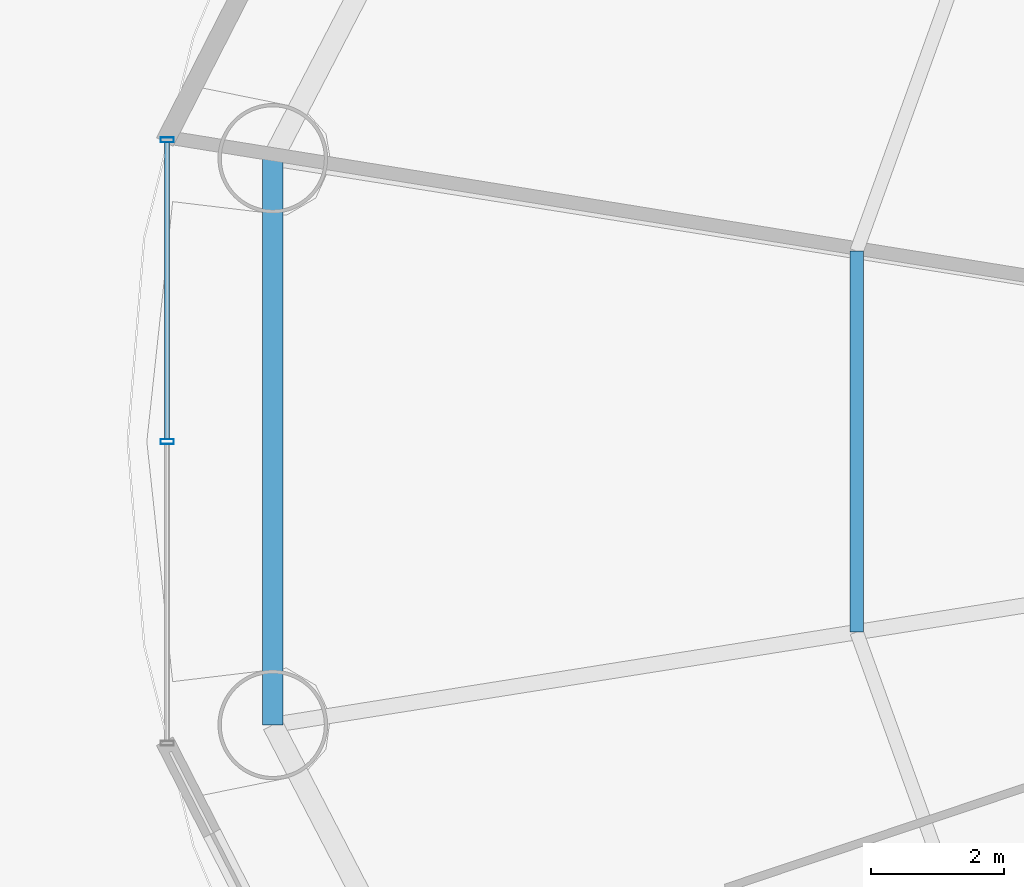
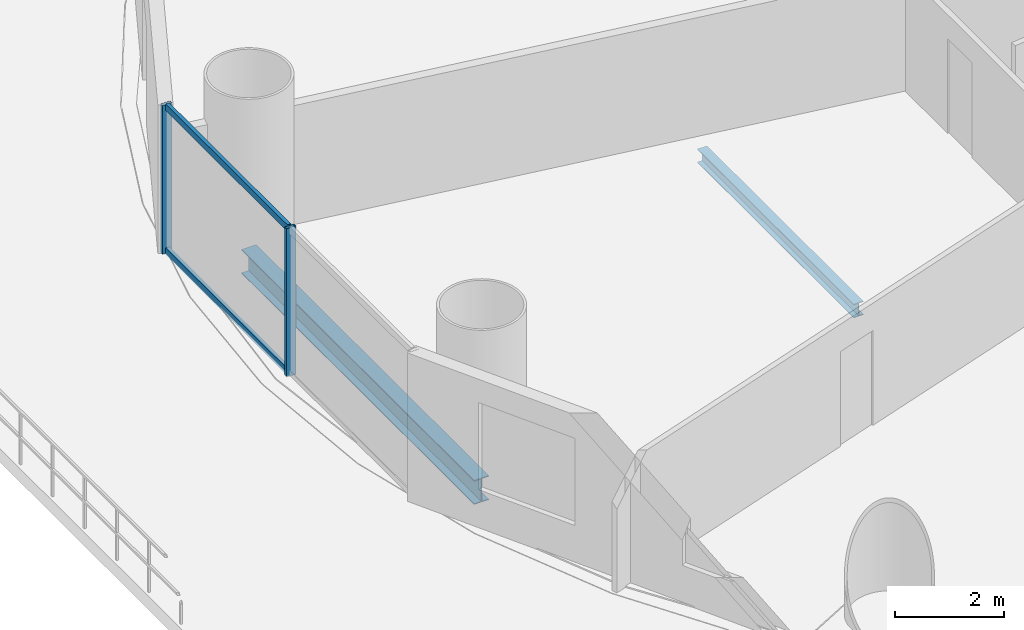
# One storey, part 9 of 37: 4 members, 2 beams, 1 element without a shape of its own.
"""IFC4 building model written with IfcOpenShell, lengths in metres."""

from ifc_helpers import new_model, si_unit, direction, frame, origin, origin_2d, place, context, subcontext, project, spatial, hollow_rectangle, i_section, extrude, source, transform, mapped, material, material_profile, profile_set, type_object, element, aggregate, save


model = new_model("IFC4")

# Units and contexts
model_context = context("Model", 3, precision=1e-05, world=origin(), true_north=direction((-0.2419218956, 0.970295726276)))
body_context = subcontext(model_context, "Body", "Model", "MODEL_VIEW")
ifc_project = project(units=[si_unit("LENGTHUNIT", "METRE"), si_unit("AREAUNIT", "SQUARE_METRE"), si_unit("VOLUMEUNIT", "CUBIC_METRE"), si_unit("PLANEANGLEUNIT", "RADIAN"), si_unit("MASSUNIT", "GRAM", prefix="KILO")], contexts=[model_context])

# Site, building, storey
site_placement = place(None, origin())
site = spatial("IfcSite", under=ifc_project, at=site_placement, CompositionType="ELEMENT")
building_placement = place(site_placement, origin())
building = spatial("IfcBuilding", under=site, at=building_placement, Name="Cobrevalo Terracotta Tower", CompositionType="ELEMENT")
storey_placement = place(building_placement, frame((0.0, 0.0, 24.0)))
storey = spatial("IfcBuildingStorey", under=building, at=storey_placement, Name="L05", CompositionType="ELEMENT", Elevation=24.0)

# Beams
ifc_material_1 = material(Name="Steel S355", Category="steel")
ifc_material_profile_1 = material_profile(ifc_material_1, i_section(OverallWidth=0.2041015625, OverallDepth=0.305908203125, WebThickness=0.008544921875, FlangeThickness=0.0146484375, at=origin_2d()), Name="W 310x67")
ifc_profile_set_1 = profile_set([ifc_material_profile_1], Name="Steel S355")
beam_type_1 = type_object("IfcBeamType", Name="Structural Joist W 310x67 (Steel S355)", PredefinedType="JOIST", material=ifc_profile_set_1)
beam_1_placement = place(storey_placement, frame((19.960205078125, 29.666748046875, -0.43310546875), z_axis=(0.0, -1.0, 0.0), x_axis=(1.0, 0.0, 0.0)))
element("IfcBeam", 1, at=beam_1_placement, inside=storey, type_object=beam_type_1, Name="L05 circumferential secondary floor joist 08", PredefinedType="JOIST", context=body_context, shape_type="SweptSolid", body=[
    extrude(i_section(OverallWidth=0.2041015625, OverallDepth=0.305908203125, WebThickness=0.008544921875, FlangeThickness=0.0146484375, at=origin_2d()), origin(), (0.0, 0.0, 1.0), 5.7333984375),
])
ifc_material_profile_2 = material_profile(ifc_material_1, i_section(OverallWidth=0.31201171875, OverallDepth=0.54296875, WebThickness=0.0126953125, FlangeThickness=0.020263671875, at=origin_2d()), Name="W 530x150")
ifc_profile_set_2 = profile_set([ifc_material_profile_2], Name="Steel S355")
beam_type_2 = type_object("IfcBeamType", Name="Structural Spandrel W 530x150 (Steel S355)", PredefinedType="SPANDREL", material=ifc_profile_set_2)
beam_2_placement = place(storey_placement, frame((11.175537109375, 31.062744140625, -0.551513671875), z_axis=(0.0, -1.0, 0.0), x_axis=(1.0, 0.0, 0.0)))
element("IfcBeam", 2, at=beam_2_placement, inside=storey, type_object=beam_type_2, Name="L05 perimeter ring spandrel 08", PredefinedType="SPANDREL", context=body_context, shape_type="SweptSolid", body=[
    extrude(i_section(OverallWidth=0.31201171875, OverallDepth=0.54296875, WebThickness=0.0126953125, FlangeThickness=0.020263671875, at=origin_2d()), origin(), (0.0, 0.0, 1.0), 8.525390625),
])

# Curtain wall, members
ifc_material_2 = material(Name="Anodized aluminium", Category="aluminium")
curtain_wall_type = type_object("IfcCurtainWallType", Name="Lower-tower unitised acoustic low-E curtain wall CW-U1", PredefinedType="NOTDEFINED", material=ifc_material_2)
curtain_wall_placement = place(storey_placement, origin())
curtain_wall = element("IfcCurtainWall", 3, at=curtain_wall_placement, inside=storey, type_object=curtain_wall_type, Name="L05 curtain wall CW-L05-S08", PredefinedType="NOTDEFINED")
ifc_material_profile_3 = material_profile(ifc_material_2, hollow_rectangle(XDim=0.074951171875, YDim=0.199951171875, WallThickness=0.0048828125, at=origin_2d()), Name="CWM 75x200")
ifc_profile_set_3 = profile_set([ifc_material_profile_3], Name="Anodized aluminium")
member_type_1 = type_object("IfcMemberType", Name="Lower/mid tower unitised mullion 75x200", PredefinedType="MULLION", material=ifc_profile_set_3)
shared_shape_1 = source(origin(), body_context, "Body", "SweptSolid", [
    extrude(hollow_rectangle(XDim=0.074951171875, YDim=0.199951171875, WallThickness=0.0048828125, at=origin_2d()), origin(), (0.0, 0.0, 1.0), 3.320068359375),
])
member_1_placement = place(storey_placement, frame((9.586669921875, 31.3388671875, 0.0), z_axis=(0.0, 0.0, 1.0), x_axis=(0.0, -1.0, 0.0)))
member_1 = element("IfcMember", 4, at=member_1_placement, type_object=member_type_1, Name="CW-L05-S08 vertical mullion 01", PredefinedType="MULLION", context=body_context, shape_type="MappedRepresentation", body=[
    mapped(shared_shape_1, transform((0.0, 0.0, 0.0), scale=1.0)),
])
member_2_placement = place(storey_placement, frame((9.586669921875, 26.800048828125, 0.0), z_axis=(0.0, 0.0, 1.0), x_axis=(0.0, -1.0, 0.0)))
member_2 = element("IfcMember", 5, at=member_2_placement, type_object=member_type_1, Name="CW-L05-S08 vertical mullion 02", PredefinedType="MULLION", context=body_context, shape_type="MappedRepresentation", body=[
    mapped(shared_shape_1, transform((0.0, 0.0, 0.0), scale=1.0)),
])
ifc_material_profile_4 = material_profile(ifc_material_2, hollow_rectangle(XDim=0.074951171875, YDim=0.14990234375, WallThickness=0.00439453125, at=origin_2d()), Name="CWT 75x150")
ifc_profile_set_4 = profile_set([ifc_material_profile_4], Name="Anodized aluminium")
member_type_2 = type_object("IfcMemberType", Name="Tower unitised aluminium transom 75x150", PredefinedType="USERDEFINED", material=ifc_profile_set_4)
shared_shape_2 = source(origin(), body_context, "Body", "SweptSolid", [
    extrude(hollow_rectangle(XDim=0.074951171875, YDim=0.14990234375, WallThickness=0.00439453125, at=origin_2d()), origin(), (0.0, 0.0, 1.0), 4.458740234375),
])
member_3_placement = place(storey_placement, frame((9.586669921875, 31.298828125, 0.050048828125), z_axis=(0.0, -1.0, 0.0), x_axis=(1.0, 0.0, 0.0)))
member_3 = element("IfcMember", 6, at=member_3_placement, type_object=member_type_2, Name="CW-L05-S08 transom B01-T1", ObjectType="TRANSOM", PredefinedType="USERDEFINED", context=body_context, shape_type="MappedRepresentation", body=[
    mapped(shared_shape_2, transform((0.0, 0.0, 0.0), scale=1.0)),
])
member_4_placement = place(storey_placement, frame((9.586669921875, 31.298828125, 3.27001953125), z_axis=(0.0, -1.0, 0.0), x_axis=(1.0, 0.0, 0.0)))
member_4 = element("IfcMember", 7, at=member_4_placement, type_object=member_type_2, Name="CW-L05-S08 transom B01-T2", ObjectType="TRANSOM", PredefinedType="USERDEFINED", context=body_context, shape_type="MappedRepresentation", body=[
    mapped(shared_shape_2, transform((0.0, 0.0, 0.0), scale=1.0)),
])
aggregate(curtain_wall, [member_1, member_2, member_3, member_4])

save(model, "model.ifc")
